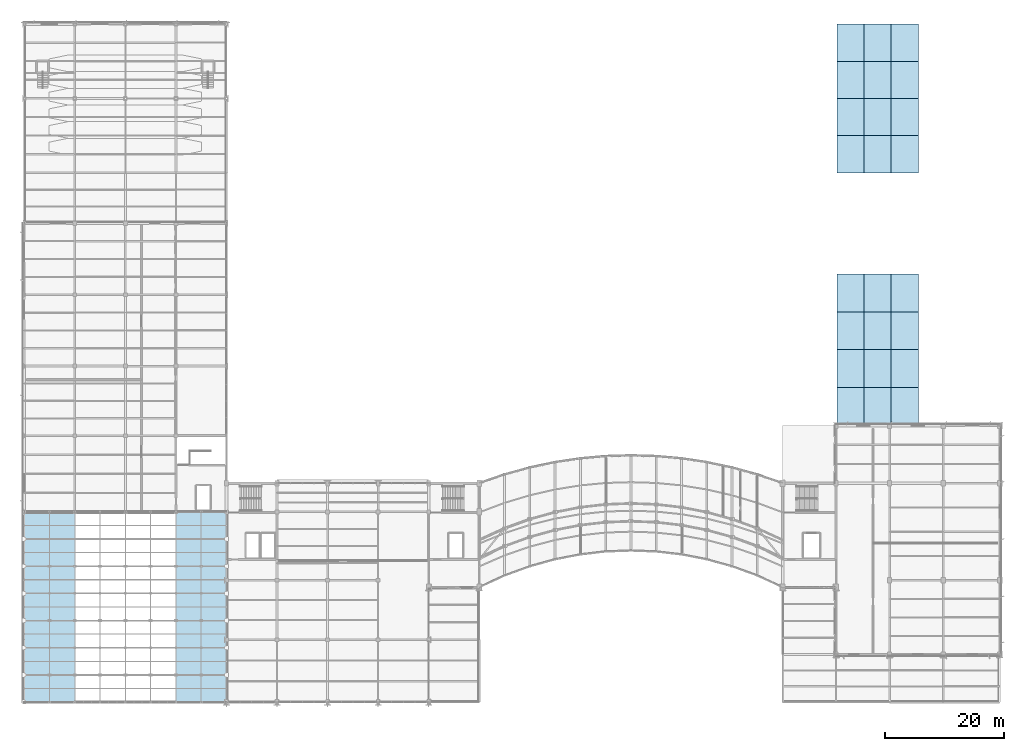
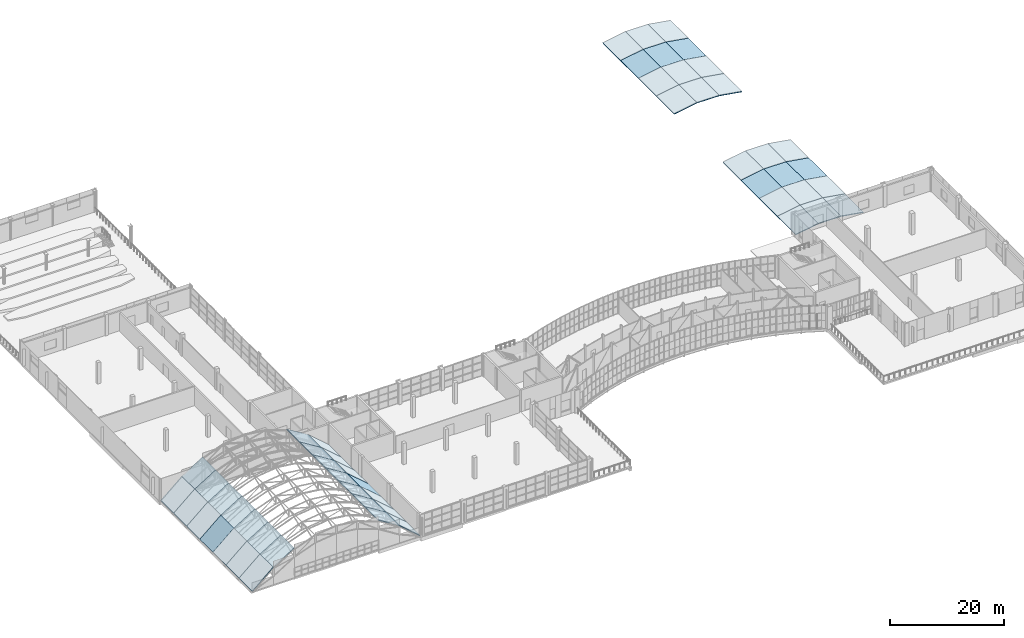
# One storey, part 73 of 86: 52 roofs.
"""IFC4 building model written with IfcOpenShell, lengths in metres."""

from ifc_helpers import new_model, si_unit, direction, frame, origin, place, context, subcontext, project, spatial, polyline, outline, extrude, material, layer, layer_set, type_object, element, save


model = new_model("IFC4")

# Units and contexts
model_context = context("Model", 3, precision=1e-05, world=origin(), true_north=direction((0.0, 1.0)))
body_context = subcontext(model_context, "Body", "Model", "MODEL_VIEW")
ifc_project = project(units=[si_unit("LENGTHUNIT", "METRE"), si_unit("AREAUNIT", "SQUARE_METRE"), si_unit("VOLUMEUNIT", "CUBIC_METRE"), si_unit("PLANEANGLEUNIT", "RADIAN"), si_unit("MASSUNIT", "GRAM", prefix="KILO")], contexts=[model_context])

# Site, building, storey
site_placement = place(None, origin())
site = spatial("IfcSite", under=ifc_project, at=site_placement, CompositionType="ELEMENT")
building_placement = place(site_placement, origin())
building = spatial("IfcBuilding", under=site, at=building_placement, Name="Solvikara Media Centre", CompositionType="ELEMENT")
storey_placement = place(building_placement, frame((0.0, 0.0, 15.0)))
storey = spatial("IfcBuildingStorey", under=building, at=storey_placement, Name="L03", CompositionType="ELEMENT", Elevation=15.0)

# Roofs
ifc_material = material(Name="Insulated standing-seam aluminium-zinc acoustic roofing", Category="aluminium")
ifc_layer_1 = layer(ifc_material, 0.159912109375)
ifc_layer_set_1 = layer_set([ifc_layer_1], Name="Insulated standing-seam aluminium-zinc acoustic roofing")
roof_type_1 = type_object("IfcRoofType", Name="RF-01", PredefinedType="BARREL_ROOF", material=ifc_layer_set_1)
roof_1_placement = place(storey_placement, frame((0.0, 0.0, 0.0), z_axis=(-0.654088104868, 0.0, 0.756418370394), x_axis=(0.756418370394, 0.0, 0.654088104868)))
element("IfcRoof", 1, at=roof_1_placement, inside=storey, type_object=roof_type_1, Name="RF-GC-00-00", PredefinedType="BARREL_ROOF", context=body_context, shape_type="SweptSolid", body=[
    extrude(outline(polyline([(0.0, 0.0), (5.618583797462039, 0.0), (5.618583797462039, 4.571044921875), (0.0, 4.571044921875), (0.0, 0.0)])), origin(), (0.0, 0.0, -1.0), 0.159912109375),
])
for number, where, z_axis, x_axis, name in (
    (2, (4.25, 0.0, 3.675048828125), (-0.525492880722, 0.0, 0.850797997359), (0.850797997359, 0.0, 0.525492880722), "RF-GC-00-01"),
    (3, (25.5, 0.0, 6.300048828125), (0.525492880722, 0.0, 0.850797997359), (0.850797997359, 0.0, -0.525492880722), "RF-GC-00-06"),
):
    element("IfcRoof", number, at=place(storey_placement, frame(where, z_axis=z_axis, x_axis=x_axis)), inside=storey, type_object=roof_type_1, Name=name, PredefinedType="BARREL_ROOF", context=body_context, shape_type="SweptSolid", body=[
        extrude(outline(polyline([(0.0, 0.0), (4.995310300672021, 0.0), (4.995310300672021, 4.571044921875), (0.0, 4.571044921875), (0.0, 0.0)])), origin(), (0.0, 0.0, -1.0), 0.159912109375),
    ])
roof_2_placement = place(storey_placement, frame((29.75, 0.0, 3.675048828125), z_axis=(0.654088104868, 0.0, 0.756418370394), x_axis=(0.756418370394, 0.0, -0.654088104868)))
element("IfcRoof", 4, at=roof_2_placement, inside=storey, type_object=roof_type_1, Name="RF-GC-00-07", PredefinedType="BARREL_ROOF", context=body_context, shape_type="SweptSolid", body=[
    extrude(outline(polyline([(0.0, 0.0), (5.618583797462039, 0.0), (5.618583797462039, 4.571044921875), (0.0, 4.571044921875), (0.0, 0.0)])), origin(), (0.0, 0.0, -1.0), 0.159912109375),
])
roof_3_placement = place(storey_placement, frame((0.0, 4.571044921875, 0.0), z_axis=(-0.654088104868, 0.0, 0.756418370394), x_axis=(0.756418370394, 0.0, 0.654088104868)))
element("IfcRoof", 5, at=roof_3_placement, inside=storey, type_object=roof_type_1, Name="RF-GC-01-00", PredefinedType="BARREL_ROOF", context=body_context, shape_type="SweptSolid", body=[
    extrude(outline(polyline([(0.0, 0.0), (5.618583797462039, 0.0), (5.618583797462039, 4.572021484375), (0.0, 4.572021484375), (0.0, 0.0)])), origin(), (0.0, 0.0, -1.0), 0.159912109375),
])
for number, where, z_axis, x_axis, name in (
    (6, (4.25, 4.571044921875, 3.675048828125), (-0.525492880722, 0.0, 0.850797997359), (0.850797997359, 0.0, 0.525492880722), "RF-GC-01-01"),
    (7, (25.5, 4.571044921875, 6.300048828125), (0.525492880722, 0.0, 0.850797997359), (0.850797997359, 0.0, -0.525492880722), "RF-GC-01-06"),
):
    element("IfcRoof", number, at=place(storey_placement, frame(where, z_axis=z_axis, x_axis=x_axis)), inside=storey, type_object=roof_type_1, Name=name, PredefinedType="BARREL_ROOF", context=body_context, shape_type="SweptSolid", body=[
        extrude(outline(polyline([(0.0, 0.0), (4.995310300672021, 0.0), (4.995310300672021, 4.572021484375), (0.0, 4.572021484375), (0.0, 0.0)])), origin(), (0.0, 0.0, -1.0), 0.159912109375),
    ])
roof_4_placement = place(storey_placement, frame((29.75, 4.571044921875, 3.675048828125), z_axis=(0.654088104868, 0.0, 0.756418370394), x_axis=(0.756418370394, 0.0, -0.654088104868)))
element("IfcRoof", 8, at=roof_4_placement, inside=storey, type_object=roof_type_1, Name="RF-GC-01-07", PredefinedType="BARREL_ROOF", context=body_context, shape_type="SweptSolid", body=[
    extrude(outline(polyline([(0.0, 0.0), (5.618583797462039, 0.0), (5.618583797462039, 4.572021484375), (0.0, 4.572021484375), (0.0, 0.0)])), origin(), (0.0, 0.0, -1.0), 0.159912109375),
])
roof_5_placement = place(storey_placement, frame((0.0, 9.14306640625, 0.0), z_axis=(-0.654088104868, 0.0, 0.756418370394), x_axis=(0.756418370394, 0.0, 0.654088104868)))
element("IfcRoof", 9, at=roof_5_placement, inside=storey, type_object=roof_type_1, Name="RF-GC-02-00", PredefinedType="BARREL_ROOF", context=body_context, shape_type="SweptSolid", body=[
    extrude(outline(polyline([(0.0, 0.0), (5.618583797462039, 0.0), (5.618583797462039, 4.571044921875), (0.0, 4.571044921875), (0.0, 0.0)])), origin(), (0.0, 0.0, -1.0), 0.159912109375),
])
for number, where, z_axis, x_axis, name in (
    (10, (4.25, 9.14306640625, 3.675048828125), (-0.525492880722, 0.0, 0.850797997359), (0.850797997359, 0.0, 0.525492880722), "RF-GC-02-01"),
    (11, (25.5, 9.14306640625, 6.300048828125), (0.525492880722, 0.0, 0.850797997359), (0.850797997359, 0.0, -0.525492880722), "RF-GC-02-06"),
):
    element("IfcRoof", number, at=place(storey_placement, frame(where, z_axis=z_axis, x_axis=x_axis)), inside=storey, type_object=roof_type_1, Name=name, PredefinedType="BARREL_ROOF", context=body_context, shape_type="SweptSolid", body=[
        extrude(outline(polyline([(0.0, 0.0), (4.995310300672021, 0.0), (4.995310300672021, 4.571044921875), (0.0, 4.571044921875), (0.0, 0.0)])), origin(), (0.0, 0.0, -1.0), 0.159912109375),
    ])
roof_6_placement = place(storey_placement, frame((29.75, 9.14306640625, 3.675048828125), z_axis=(0.654088104868, 0.0, 0.756418370394), x_axis=(0.756418370394, 0.0, -0.654088104868)))
element("IfcRoof", 12, at=roof_6_placement, inside=storey, type_object=roof_type_1, Name="RF-GC-02-07", PredefinedType="BARREL_ROOF", context=body_context, shape_type="SweptSolid", body=[
    extrude(outline(polyline([(0.0, 0.0), (5.618583797462039, 0.0), (5.618583797462039, 4.571044921875), (0.0, 4.571044921875), (0.0, 0.0)])), origin(), (0.0, 0.0, -1.0), 0.159912109375),
])
roof_7_placement = place(storey_placement, frame((0.0, 13.714111328125, 0.0), z_axis=(-0.654088104868, 0.0, 0.756418370394), x_axis=(0.756418370394, 0.0, 0.654088104868)))
element("IfcRoof", 13, at=roof_7_placement, inside=storey, type_object=roof_type_1, Name="RF-GC-03-00", PredefinedType="BARREL_ROOF", context=body_context, shape_type="SweptSolid", body=[
    extrude(outline(polyline([(0.0, 0.0), (5.618583797462039, 0.0), (5.618583797462039, 4.57177734375), (0.0, 4.57177734375), (0.0, 0.0)])), origin(), (0.0, 0.0, -1.0), 0.159912109375),
])
for number, where, z_axis, x_axis, name in (
    (14, (4.25, 13.714111328125, 3.675048828125), (-0.525492880722, 0.0, 0.850797997359), (0.850797997359, 0.0, 0.525492880722), "RF-GC-03-01"),
    (15, (25.5, 13.714111328125, 6.300048828125), (0.525492880722, 0.0, 0.850797997359), (0.850797997359, 0.0, -0.525492880722), "RF-GC-03-06"),
):
    element("IfcRoof", number, at=place(storey_placement, frame(where, z_axis=z_axis, x_axis=x_axis)), inside=storey, type_object=roof_type_1, Name=name, PredefinedType="BARREL_ROOF", context=body_context, shape_type="SweptSolid", body=[
        extrude(outline(polyline([(0.0, 0.0), (4.9953103006720205, 0.0), (4.9953103006720205, 4.57177734375), (0.0, 4.57177734375), (0.0, 0.0)])), origin(), (0.0, 0.0, -1.0), 0.159912109375),
    ])
roof_8_placement = place(storey_placement, frame((29.75, 13.714111328125, 3.675048828125), z_axis=(0.654088104868, 0.0, 0.756418370394), x_axis=(0.756418370394, 0.0, -0.654088104868)))
element("IfcRoof", 16, at=roof_8_placement, inside=storey, type_object=roof_type_1, Name="RF-GC-03-07", PredefinedType="BARREL_ROOF", context=body_context, shape_type="SweptSolid", body=[
    extrude(outline(polyline([(0.0, 0.0), (5.618583797462039, 0.0), (5.618583797462039, 4.57177734375), (0.0, 4.57177734375), (0.0, 0.0)])), origin(), (0.0, 0.0, -1.0), 0.159912109375),
])
roof_9_placement = place(storey_placement, frame((0.0, 18.285888671875, 0.0), z_axis=(-0.654088104868, 0.0, 0.756418370394), x_axis=(0.756418370394, 0.0, 0.654088104868)))
element("IfcRoof", 17, at=roof_9_placement, inside=storey, type_object=roof_type_1, Name="RF-GC-04-00", PredefinedType="BARREL_ROOF", context=body_context, shape_type="SweptSolid", body=[
    extrude(outline(polyline([(0.0, 0.0), (5.618583797462039, 0.0), (5.618583797462039, 4.571044921875), (0.0, 4.571044921875), (0.0, 0.0)])), origin(), (0.0, 0.0, -1.0), 0.159912109375),
])
for number, where, z_axis, x_axis, name in (
    (18, (4.25, 18.285888671875, 3.675048828125), (-0.525492880722, 0.0, 0.850797997359), (0.850797997359, 0.0, 0.525492880722), "RF-GC-04-01"),
    (19, (25.5, 18.285888671875, 6.300048828125), (0.525492880722, 0.0, 0.850797997359), (0.850797997359, 0.0, -0.525492880722), "RF-GC-04-06"),
):
    element("IfcRoof", number, at=place(storey_placement, frame(where, z_axis=z_axis, x_axis=x_axis)), inside=storey, type_object=roof_type_1, Name=name, PredefinedType="BARREL_ROOF", context=body_context, shape_type="SweptSolid", body=[
        extrude(outline(polyline([(0.0, 0.0), (4.995310300672021, 0.0), (4.995310300672021, 4.571044921875), (0.0, 4.571044921875), (0.0, 0.0)])), origin(), (0.0, 0.0, -1.0), 0.159912109375),
    ])
roof_10_placement = place(storey_placement, frame((29.75, 18.285888671875, 3.675048828125), z_axis=(0.654088104868, 0.0, 0.756418370394), x_axis=(0.756418370394, 0.0, -0.654088104868)))
element("IfcRoof", 20, at=roof_10_placement, inside=storey, type_object=roof_type_1, Name="RF-GC-04-07", PredefinedType="BARREL_ROOF", context=body_context, shape_type="SweptSolid", body=[
    extrude(outline(polyline([(0.0, 0.0), (5.618583797462039, 0.0), (5.618583797462039, 4.571044921875), (0.0, 4.571044921875), (0.0, 0.0)])), origin(), (0.0, 0.0, -1.0), 0.159912109375),
])
roof_11_placement = place(storey_placement, frame((0.0, 22.85693359375, 0.0), z_axis=(-0.654088104868, 0.0, 0.756418370394), x_axis=(0.756418370394, 0.0, 0.654088104868)))
element("IfcRoof", 21, at=roof_11_placement, inside=storey, type_object=roof_type_1, Name="RF-GC-05-00", PredefinedType="BARREL_ROOF", context=body_context, shape_type="SweptSolid", body=[
    extrude(outline(polyline([(0.0, 0.0), (5.618583797462039, 0.0), (5.618583797462039, 4.572021484375), (0.0, 4.572021484375), (0.0, 0.0)])), origin(), (0.0, 0.0, -1.0), 0.159912109375),
])
for number, where, z_axis, x_axis, name in (
    (22, (4.25, 22.85693359375, 3.675048828125), (-0.525492880722, 0.0, 0.850797997359), (0.850797997359, 0.0, 0.525492880722), "RF-GC-05-01"),
    (23, (25.5, 22.85693359375, 6.300048828125), (0.525492880722, 0.0, 0.850797997359), (0.850797997359, 0.0, -0.525492880722), "RF-GC-05-06"),
):
    element("IfcRoof", number, at=place(storey_placement, frame(where, z_axis=z_axis, x_axis=x_axis)), inside=storey, type_object=roof_type_1, Name=name, PredefinedType="BARREL_ROOF", context=body_context, shape_type="SweptSolid", body=[
        extrude(outline(polyline([(0.0, 0.0), (4.995310300672021, 0.0), (4.995310300672021, 4.572021484375), (0.0, 4.572021484375), (0.0, 0.0)])), origin(), (0.0, 0.0, -1.0), 0.159912109375),
    ])
roof_12_placement = place(storey_placement, frame((29.75, 22.85693359375, 3.675048828125), z_axis=(0.654088104868, 0.0, 0.756418370394), x_axis=(0.756418370394, 0.0, -0.654088104868)))
element("IfcRoof", 24, at=roof_12_placement, inside=storey, type_object=roof_type_1, Name="RF-GC-05-07", PredefinedType="BARREL_ROOF", context=body_context, shape_type="SweptSolid", body=[
    extrude(outline(polyline([(0.0, 0.0), (5.618583797462039, 0.0), (5.618583797462039, 4.572021484375), (0.0, 4.572021484375), (0.0, 0.0)])), origin(), (0.0, 0.0, -1.0), 0.159912109375),
])
roof_13_placement = place(storey_placement, frame((0.0, 27.428955078125, 0.0), z_axis=(-0.654088104868, 0.0, 0.756418370394), x_axis=(0.756418370394, 0.0, 0.654088104868)))
element("IfcRoof", 25, at=roof_13_placement, inside=storey, type_object=roof_type_1, Name="RF-GC-06-00", PredefinedType="BARREL_ROOF", context=body_context, shape_type="SweptSolid", body=[
    extrude(outline(polyline([(0.0, 0.0), (5.618583797462039, 0.0), (5.618583797462039, 4.571044921875), (0.0, 4.571044921875), (0.0, 0.0)])), origin(), (0.0, 0.0, -1.0), 0.159912109375),
])
for number, where, z_axis, x_axis, name in (
    (26, (4.25, 27.428955078125, 3.675048828125), (-0.525492880722, 0.0, 0.850797997359), (0.850797997359, 0.0, 0.525492880722), "RF-GC-06-01"),
    (27, (25.5, 27.428955078125, 6.300048828125), (0.525492880722, 0.0, 0.850797997359), (0.850797997359, 0.0, -0.525492880722), "RF-GC-06-06"),
):
    element("IfcRoof", number, at=place(storey_placement, frame(where, z_axis=z_axis, x_axis=x_axis)), inside=storey, type_object=roof_type_1, Name=name, PredefinedType="BARREL_ROOF", context=body_context, shape_type="SweptSolid", body=[
        extrude(outline(polyline([(0.0, 0.0), (4.995310300672021, 0.0), (4.995310300672021, 4.571044921875), (0.0, 4.571044921875), (0.0, 0.0)])), origin(), (0.0, 0.0, -1.0), 0.159912109375),
    ])
roof_14_placement = place(storey_placement, frame((29.75, 27.428955078125, 3.675048828125), z_axis=(0.654088104868, 0.0, 0.756418370394), x_axis=(0.756418370394, 0.0, -0.654088104868)))
element("IfcRoof", 28, at=roof_14_placement, inside=storey, type_object=roof_type_1, Name="RF-GC-06-07", PredefinedType="BARREL_ROOF", context=body_context, shape_type="SweptSolid", body=[
    extrude(outline(polyline([(0.0, 0.0), (5.618583797462039, 0.0), (5.618583797462039, 4.571044921875), (0.0, 4.571044921875), (0.0, 0.0)])), origin(), (0.0, 0.0, -1.0), 0.159912109375),
])
ifc_layer_2 = layer(ifc_material, 0.159912109375)
ifc_layer_set_2 = layer_set([ifc_layer_2], Name="Insulated standing-seam aluminium-zinc acoustic roofing")
roof_type_2 = type_object("IfcRoofType", Name="RF-02", PredefinedType="GABLE_ROOF", material=ifc_layer_set_2)
roof_15_placement = place(storey_placement, frame((136.625, 46.5, 0.135986328125), z_axis=(-0.170192933775, 0.0, 0.98541075968), x_axis=(0.98541075968, 0.0, 0.170192933775)))
element("IfcRoof", 29, at=roof_15_placement, inside=storey, type_object=roof_type_2, Name="RF-BSA-00-02", PredefinedType="GABLE_ROOF", context=body_context, shape_type="SweptSolid", body=[
    extrude(outline(polyline([(0.0, 0.0), (4.630544406407315, 0.0), (4.630544406407315, 6.375), (0.0, 6.375), (0.0, 0.0)])), origin(), (0.0, 0.0, -1.0), 0.159912109375),
])
roof_16_placement = place(storey_placement, frame((141.18798828125, 46.5, 0.924072265625), z_axis=(0.010114006906, 0.0, 0.999948852124), x_axis=(0.999948852124, 0.0, -0.010114006906)))
element("IfcRoof", 30, at=roof_16_placement, inside=storey, type_object=roof_type_2, Name="RF-BSA-00-03", PredefinedType="GABLE_ROOF", context=body_context, shape_type="SweptSolid", body=[
    extrude(outline(polyline([(0.0, 0.0), (4.5622450678945725, 0.0), (4.5622450678945725, 6.375), (0.0, 6.375), (0.0, 0.0)])), origin(), (0.0, 0.0, -1.0), 0.159912109375),
])
roof_17_placement = place(storey_placement, frame((145.75, 46.5, 0.8779296875), z_axis=(0.16242916389, 0.0, 0.986720206907), x_axis=(0.986720206907, 0.0, -0.16242916389)))
element("IfcRoof", 31, at=roof_17_placement, inside=storey, type_object=roof_type_2, Name="RF-BSA-00-04", PredefinedType="GABLE_ROOF", context=body_context, shape_type="SweptSolid", body=[
    extrude(outline(polyline([(0.0, 0.0), (4.623409642183639, 0.0), (4.623409642183639, 6.375), (0.0, 6.375), (0.0, 0.0)])), origin(), (0.0, 0.0, -1.0), 0.159912109375),
])
roof_18_placement = place(storey_placement, frame((136.625, 52.875, 0.135986328125), z_axis=(-0.170192933775, 0.0, 0.98541075968), x_axis=(0.98541075968, 0.0, 0.170192933775)))
element("IfcRoof", 32, at=roof_18_placement, inside=storey, type_object=roof_type_2, Name="RF-BSA-01-02", PredefinedType="GABLE_ROOF", context=body_context, shape_type="SweptSolid", body=[
    extrude(outline(polyline([(0.0, 0.0), (4.630544406407315, 0.0), (4.630544406407315, 6.375), (0.0, 6.375), (0.0, 0.0)])), origin(), (0.0, 0.0, -1.0), 0.159912109375),
])
roof_19_placement = place(storey_placement, frame((141.18798828125, 52.875, 0.924072265625), z_axis=(0.010114006906, 0.0, 0.999948852124), x_axis=(0.999948852124, 0.0, -0.010114006906)))
element("IfcRoof", 33, at=roof_19_placement, inside=storey, type_object=roof_type_2, Name="RF-BSA-01-03", PredefinedType="GABLE_ROOF", context=body_context, shape_type="SweptSolid", body=[
    extrude(outline(polyline([(0.0, 0.0), (4.5622450678945725, 0.0), (4.5622450678945725, 6.375), (0.0, 6.375), (0.0, 0.0)])), origin(), (0.0, 0.0, -1.0), 0.159912109375),
])
roof_20_placement = place(storey_placement, frame((145.75, 52.875, 0.8779296875), z_axis=(0.16242916389, 0.0, 0.986720206907), x_axis=(0.986720206907, 0.0, -0.16242916389)))
element("IfcRoof", 34, at=roof_20_placement, inside=storey, type_object=roof_type_2, Name="RF-BSA-01-04", PredefinedType="GABLE_ROOF", context=body_context, shape_type="SweptSolid", body=[
    extrude(outline(polyline([(0.0, 0.0), (4.623409642183639, 0.0), (4.623409642183639, 6.375), (0.0, 6.375), (0.0, 0.0)])), origin(), (0.0, 0.0, -1.0), 0.159912109375),
])
roof_21_placement = place(storey_placement, frame((136.625, 59.25, 0.135986328125), z_axis=(-0.170192933775, 0.0, 0.98541075968), x_axis=(0.98541075968, 0.0, 0.170192933775)))
element("IfcRoof", 35, at=roof_21_placement, inside=storey, type_object=roof_type_2, Name="RF-BSA-02-02", PredefinedType="GABLE_ROOF", context=body_context, shape_type="SweptSolid", body=[
    extrude(outline(polyline([(0.0, 0.0), (4.630544406407315, 0.0), (4.630544406407315, 6.375), (0.0, 6.375), (0.0, 0.0)])), origin(), (0.0, 0.0, -1.0), 0.159912109375),
])
roof_22_placement = place(storey_placement, frame((141.18798828125, 59.25, 0.924072265625), z_axis=(0.010114006906, 0.0, 0.999948852124), x_axis=(0.999948852124, 0.0, -0.010114006906)))
element("IfcRoof", 36, at=roof_22_placement, inside=storey, type_object=roof_type_2, Name="RF-BSA-02-03", PredefinedType="GABLE_ROOF", context=body_context, shape_type="SweptSolid", body=[
    extrude(outline(polyline([(0.0, 0.0), (4.5622450678945725, 0.0), (4.5622450678945725, 6.375), (0.0, 6.375), (0.0, 0.0)])), origin(), (0.0, 0.0, -1.0), 0.159912109375),
])
roof_23_placement = place(storey_placement, frame((145.75, 59.25, 0.8779296875), z_axis=(0.16242916389, 0.0, 0.986720206907), x_axis=(0.986720206907, 0.0, -0.16242916389)))
element("IfcRoof", 37, at=roof_23_placement, inside=storey, type_object=roof_type_2, Name="RF-BSA-02-04", PredefinedType="GABLE_ROOF", context=body_context, shape_type="SweptSolid", body=[
    extrude(outline(polyline([(0.0, 0.0), (4.623409642183639, 0.0), (4.623409642183639, 6.375), (0.0, 6.375), (0.0, 0.0)])), origin(), (0.0, 0.0, -1.0), 0.159912109375),
])
roof_24_placement = place(storey_placement, frame((136.625, 65.625, 0.135986328125), z_axis=(-0.170192933775, 0.0, 0.98541075968), x_axis=(0.98541075968, 0.0, 0.170192933775)))
element("IfcRoof", 38, at=roof_24_placement, inside=storey, type_object=roof_type_2, Name="RF-BSA-03-02", PredefinedType="GABLE_ROOF", context=body_context, shape_type="SweptSolid", body=[
    extrude(outline(polyline([(0.0, 0.0), (4.630544406407315, 0.0), (4.630544406407315, 6.375), (0.0, 6.375), (0.0, 0.0)])), origin(), (0.0, 0.0, -1.0), 0.159912109375),
])
roof_25_placement = place(storey_placement, frame((141.18798828125, 65.625, 0.924072265625), z_axis=(0.010114006906, 0.0, 0.999948852124), x_axis=(0.999948852124, 0.0, -0.010114006906)))
element("IfcRoof", 39, at=roof_25_placement, inside=storey, type_object=roof_type_2, Name="RF-BSA-03-03", PredefinedType="GABLE_ROOF", context=body_context, shape_type="SweptSolid", body=[
    extrude(outline(polyline([(0.0, 0.0), (4.5622450678945725, 0.0), (4.5622450678945725, 6.375), (0.0, 6.375), (0.0, 0.0)])), origin(), (0.0, 0.0, -1.0), 0.159912109375),
])
roof_26_placement = place(storey_placement, frame((145.75, 65.625, 0.8779296875), z_axis=(0.16242916389, 0.0, 0.986720206907), x_axis=(0.986720206907, 0.0, -0.16242916389)))
element("IfcRoof", 40, at=roof_26_placement, inside=storey, type_object=roof_type_2, Name="RF-BSA-03-04", PredefinedType="GABLE_ROOF", context=body_context, shape_type="SweptSolid", body=[
    extrude(outline(polyline([(0.0, 0.0), (4.623409642183639, 0.0), (4.623409642183639, 6.375), (0.0, 6.375), (0.0, 0.0)])), origin(), (0.0, 0.0, -1.0), 0.159912109375),
])
roof_27_placement = place(storey_placement, frame((136.625, 89.0, 0.135986328125), z_axis=(-0.170192933775, 0.0, 0.98541075968), x_axis=(0.98541075968, 0.0, 0.170192933775)))
element("IfcRoof", 41, at=roof_27_placement, inside=storey, type_object=roof_type_2, Name="RF-BSB-00-02", PredefinedType="GABLE_ROOF", context=body_context, shape_type="SweptSolid", body=[
    extrude(outline(polyline([(0.0, 0.0), (4.630544406407315, 0.0), (4.630544406407315, 6.25), (0.0, 6.25), (0.0, 0.0)])), origin(), (0.0, 0.0, -1.0), 0.159912109375),
])
roof_28_placement = place(storey_placement, frame((141.18798828125, 89.0, 0.924072265625), z_axis=(0.010114006906, 0.0, 0.999948852124), x_axis=(0.999948852124, 0.0, -0.010114006906)))
element("IfcRoof", 42, at=roof_28_placement, inside=storey, type_object=roof_type_2, Name="RF-BSB-00-03", PredefinedType="GABLE_ROOF", context=body_context, shape_type="SweptSolid", body=[
    extrude(outline(polyline([(0.0, 0.0), (4.5622450678945725, 0.0), (4.5622450678945725, 6.25), (0.0, 6.25), (0.0, 0.0)])), origin(), (0.0, 0.0, -1.0), 0.159912109375),
])
roof_29_placement = place(storey_placement, frame((145.75, 89.0, 0.8779296875), z_axis=(0.16242916389, 0.0, 0.986720206907), x_axis=(0.986720206907, 0.0, -0.16242916389)))
element("IfcRoof", 43, at=roof_29_placement, inside=storey, type_object=roof_type_2, Name="RF-BSB-00-04", PredefinedType="GABLE_ROOF", context=body_context, shape_type="SweptSolid", body=[
    extrude(outline(polyline([(0.0, 0.0), (4.623409642183639, 0.0), (4.623409642183639, 6.25), (0.0, 6.25), (0.0, 0.0)])), origin(), (0.0, 0.0, -1.0), 0.159912109375),
])
roof_30_placement = place(storey_placement, frame((136.625, 95.25, 0.135986328125), z_axis=(-0.170192933775, 0.0, 0.98541075968), x_axis=(0.98541075968, 0.0, 0.170192933775)))
element("IfcRoof", 44, at=roof_30_placement, inside=storey, type_object=roof_type_2, Name="RF-BSB-01-02", PredefinedType="GABLE_ROOF", context=body_context, shape_type="SweptSolid", body=[
    extrude(outline(polyline([(0.0, 0.0), (4.630544406407315, 0.0), (4.630544406407315, 6.25), (0.0, 6.25), (0.0, 0.0)])), origin(), (0.0, 0.0, -1.0), 0.159912109375),
])
roof_31_placement = place(storey_placement, frame((141.18798828125, 95.25, 0.924072265625), z_axis=(0.010114006906, 0.0, 0.999948852124), x_axis=(0.999948852124, 0.0, -0.010114006906)))
element("IfcRoof", 45, at=roof_31_placement, inside=storey, type_object=roof_type_2, Name="RF-BSB-01-03", PredefinedType="GABLE_ROOF", context=body_context, shape_type="SweptSolid", body=[
    extrude(outline(polyline([(0.0, 0.0), (4.5622450678945725, 0.0), (4.5622450678945725, 6.25), (0.0, 6.25), (0.0, 0.0)])), origin(), (0.0, 0.0, -1.0), 0.159912109375),
])
roof_32_placement = place(storey_placement, frame((145.75, 95.25, 0.8779296875), z_axis=(0.16242916389, 0.0, 0.986720206907), x_axis=(0.986720206907, 0.0, -0.16242916389)))
element("IfcRoof", 46, at=roof_32_placement, inside=storey, type_object=roof_type_2, Name="RF-BSB-01-04", PredefinedType="GABLE_ROOF", context=body_context, shape_type="SweptSolid", body=[
    extrude(outline(polyline([(0.0, 0.0), (4.623409642183639, 0.0), (4.623409642183639, 6.25), (0.0, 6.25), (0.0, 0.0)])), origin(), (0.0, 0.0, -1.0), 0.159912109375),
])
roof_33_placement = place(storey_placement, frame((136.625, 101.5, 0.135986328125), z_axis=(-0.170192933775, 0.0, 0.98541075968), x_axis=(0.98541075968, 0.0, 0.170192933775)))
element("IfcRoof", 47, at=roof_33_placement, inside=storey, type_object=roof_type_2, Name="RF-BSB-02-02", PredefinedType="GABLE_ROOF", context=body_context, shape_type="SweptSolid", body=[
    extrude(outline(polyline([(0.0, 0.0), (4.630544406407315, 0.0), (4.630544406407315, 6.25), (0.0, 6.25), (0.0, 0.0)])), origin(), (0.0, 0.0, -1.0), 0.159912109375),
])
roof_34_placement = place(storey_placement, frame((141.18798828125, 101.5, 0.924072265625), z_axis=(0.010114006906, 0.0, 0.999948852124), x_axis=(0.999948852124, 0.0, -0.010114006906)))
element("IfcRoof", 48, at=roof_34_placement, inside=storey, type_object=roof_type_2, Name="RF-BSB-02-03", PredefinedType="GABLE_ROOF", context=body_context, shape_type="SweptSolid", body=[
    extrude(outline(polyline([(0.0, 0.0), (4.5622450678945725, 0.0), (4.5622450678945725, 6.25), (0.0, 6.25), (0.0, 0.0)])), origin(), (0.0, 0.0, -1.0), 0.159912109375),
])
roof_35_placement = place(storey_placement, frame((145.75, 101.5, 0.8779296875), z_axis=(0.16242916389, 0.0, 0.986720206907), x_axis=(0.986720206907, 0.0, -0.16242916389)))
element("IfcRoof", 49, at=roof_35_placement, inside=storey, type_object=roof_type_2, Name="RF-BSB-02-04", PredefinedType="GABLE_ROOF", context=body_context, shape_type="SweptSolid", body=[
    extrude(outline(polyline([(0.0, 0.0), (4.623409642183639, 0.0), (4.623409642183639, 6.25), (0.0, 6.25), (0.0, 0.0)])), origin(), (0.0, 0.0, -1.0), 0.159912109375),
])
roof_36_placement = place(storey_placement, frame((136.625, 107.75, 0.135986328125), z_axis=(-0.170192933775, 0.0, 0.98541075968), x_axis=(0.98541075968, 0.0, 0.170192933775)))
element("IfcRoof", 50, at=roof_36_placement, inside=storey, type_object=roof_type_2, Name="RF-BSB-03-02", PredefinedType="GABLE_ROOF", context=body_context, shape_type="SweptSolid", body=[
    extrude(outline(polyline([(0.0, 0.0), (4.630544406407315, 0.0), (4.630544406407315, 6.25), (0.0, 6.25), (0.0, 0.0)])), origin(), (0.0, 0.0, -1.0), 0.159912109375),
])
roof_37_placement = place(storey_placement, frame((141.18798828125, 107.75, 0.924072265625), z_axis=(0.010114006906, 0.0, 0.999948852124), x_axis=(0.999948852124, 0.0, -0.010114006906)))
element("IfcRoof", 51, at=roof_37_placement, inside=storey, type_object=roof_type_2, Name="RF-BSB-03-03", PredefinedType="GABLE_ROOF", context=body_context, shape_type="SweptSolid", body=[
    extrude(outline(polyline([(0.0, 0.0), (4.5622450678945725, 0.0), (4.5622450678945725, 6.25), (0.0, 6.25), (0.0, 0.0)])), origin(), (0.0, 0.0, -1.0), 0.159912109375),
])
roof_38_placement = place(storey_placement, frame((145.75, 107.75, 0.8779296875), z_axis=(0.16242916389, 0.0, 0.986720206907), x_axis=(0.986720206907, 0.0, -0.16242916389)))
element("IfcRoof", 52, at=roof_38_placement, inside=storey, type_object=roof_type_2, Name="RF-BSB-03-04", PredefinedType="GABLE_ROOF", context=body_context, shape_type="SweptSolid", body=[
    extrude(outline(polyline([(0.0, 0.0), (4.623409642183639, 0.0), (4.623409642183639, 6.25), (0.0, 6.25), (0.0, 0.0)])), origin(), (0.0, 0.0, -1.0), 0.159912109375),
])

save(model, "model.ifc")
